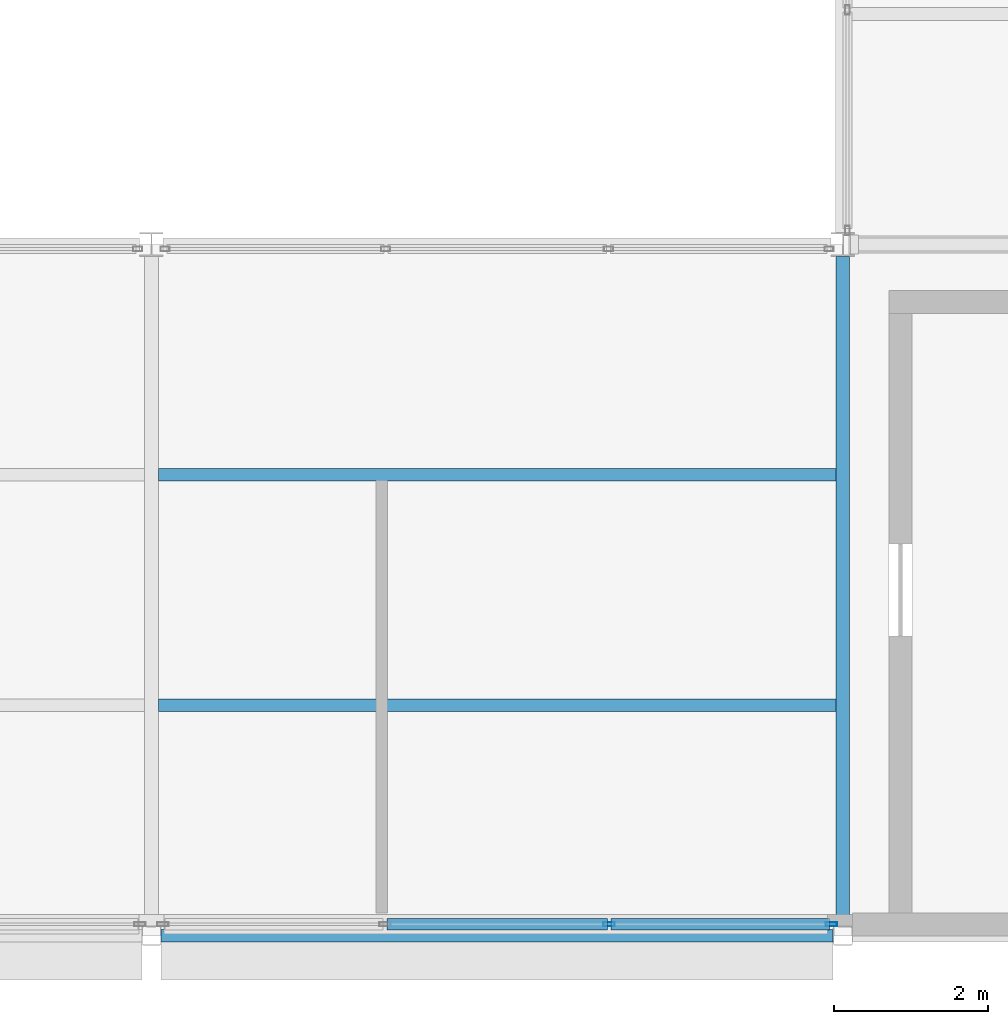
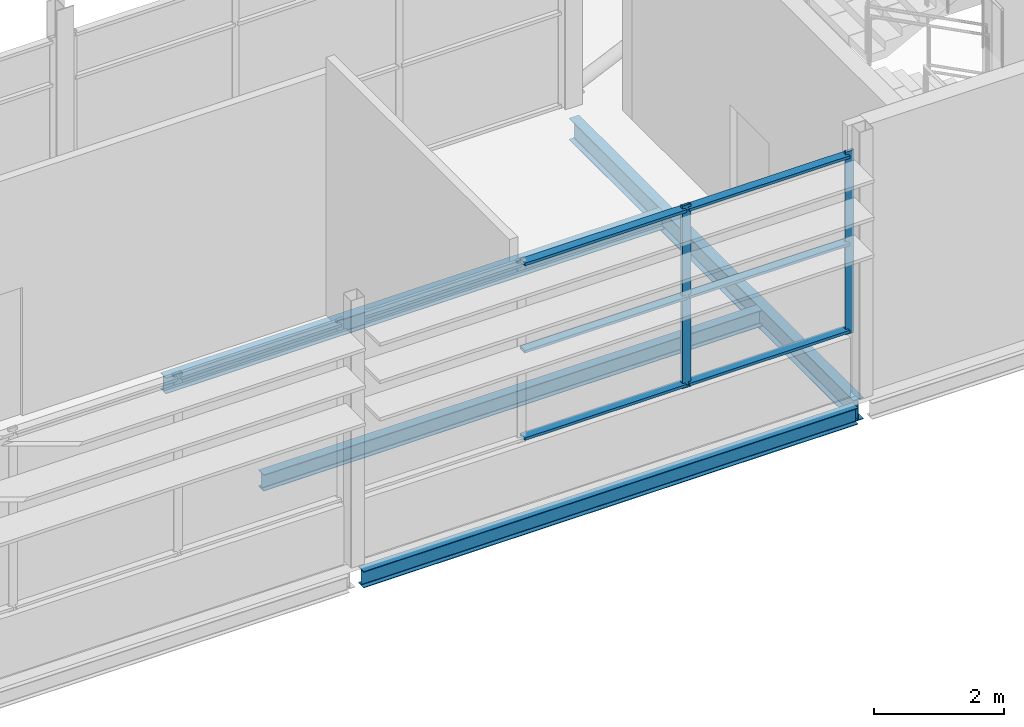
# One storey, part 39 of 94: 8 members, 4 beams, 1 element without a shape of its own.
"""IFC4 building model written with IfcOpenShell, lengths in metres."""

from ifc_helpers import new_model, si_unit, direction, frame, origin, origin_2d, place, context, subcontext, project, spatial, hollow_rectangle, i_section, extrude, material, layer, layer_set, material_profile, profile_set, type_object, element, aggregate, save


model = new_model("IFC4")

# Units and contexts
model_context = context("Model", 3, precision=1e-05, world=origin(), true_north=direction((0.0, 1.0)))
body_context = subcontext(model_context, "Body", "Model", "MODEL_VIEW")
ifc_project = project(units=[si_unit("LENGTHUNIT", "METRE"), si_unit("AREAUNIT", "SQUARE_METRE"), si_unit("VOLUMEUNIT", "CUBIC_METRE"), si_unit("PLANEANGLEUNIT", "RADIAN"), si_unit("MASSUNIT", "GRAM", prefix="KILO")], contexts=[model_context])

# Site, building, storey
site_placement = place(None, origin())
site = spatial("IfcSite", under=ifc_project, at=site_placement, CompositionType="ELEMENT")
building_placement = place(site_placement, origin())
building = spatial("IfcBuilding", under=site, at=building_placement, Name="Shorebreak Coast Museum", CompositionType="ELEMENT")
storey_placement = place(building_placement, frame((0.0, 0.0, 31.0)))
storey = spatial("IfcBuildingStorey", under=building, at=storey_placement, Name="L05", CompositionType="ELEMENT", Elevation=31.0)

# Beams
ifc_material_1 = material(Name="Steel Grade 300", Category="steel")
ifc_material_profile_1 = material_profile(ifc_material_1, i_section(OverallWidth=0.166015625, OverallDepth=0.30712890625, WebThickness=0.006591796875, FlangeThickness=0.01171875, FilletRadius=0.011474609375, at=origin_2d()), Name="310UB46.2")
ifc_profile_set_1 = profile_set([ifc_material_profile_1], Name="Steel Grade 300")
beam_type_1 = type_object("IfcBeamType", Name="Floor girder east-west 310UB46.2", PredefinedType="BEAM", material=ifc_profile_set_1)
beam_1_placement = place(storey_placement, frame((99.125, 54.0, -0.32861328125), z_axis=(1.0, 0.0, 0.0), x_axis=(0.0, 1.0, 0.0)))
element("IfcBeam", 1, at=beam_1_placement, inside=storey, type_object=beam_type_1, Name="Floor girder east-west L05 12G", PredefinedType="BEAM", context=body_context, shape_type="SweptSolid", body=[
    extrude(i_section(OverallWidth=0.166015625, OverallDepth=0.30712890625, WebThickness=0.006591796875, FlangeThickness=0.01171875, FilletRadius=0.011474609375, at=origin_2d()), origin(), (0.0, 0.0, 1.0), 8.75),
])
ifc_material_2 = material(Name="Steel Grade 300", Category="steel")
ifc_material_profile_2 = material_profile(ifc_material_2, i_section(OverallWidth=0.177978515625, OverallDepth=0.406494140625, WebThickness=0.0078125, FlangeThickness=0.0126953125, FilletRadius=0.011474609375, at=origin_2d()), Name="410UB59.7")
ifc_profile_set_2 = profile_set([ifc_material_profile_2], Name="Steel Grade 300")
beam_type_2 = type_object("IfcBeamType", Name="Floor girder north-south 410UB59.7", PredefinedType="BEAM", material=ifc_profile_set_2)
beam_2_placement = place(storey_placement, frame((108.0, 54.125, -0.378173828125), z_axis=(0.0, 1.0, 0.0), x_axis=(-1.0, 0.0, 0.0)))
element("IfcBeam", 2, at=beam_2_placement, inside=storey, type_object=beam_type_2, Name="Floor girder north-south L05 13G", PredefinedType="BEAM", context=body_context, shape_type="SweptSolid", body=[
    extrude(i_section(OverallWidth=0.177978515625, OverallDepth=0.406494140625, WebThickness=0.0078125, FlangeThickness=0.0126953125, FilletRadius=0.011474609375, at=origin_2d()), origin(), (0.0, 0.0, 1.0), 8.7177734375),
])
ifc_material_3 = material(Name="Steel Grade 300", Category="steel")
ifc_material_profile_3 = material_profile(ifc_material_3, i_section(OverallWidth=0.1650390625, OverallDepth=0.303955078125, WebThickness=0.006103515625, FlangeThickness=0.01025390625, FilletRadius=0.011474609375, at=origin_2d()), Name="310UB40.4")
ifc_profile_set_3 = profile_set([ifc_material_profile_3], Name="Steel Grade 300")
beam_type_3 = type_object("IfcBeamType", Name="Floor joist 310UB40.4", PredefinedType="JOIST", material=ifc_profile_set_3)
for number, where, z_axis, x_axis, name in (
    (3, (99.089111328125, 57.0, -0.326904296875), (1.0, 0.0, 0.0), (0.0, 1.0, 0.0), "Floor joist L05 bay 12G at 3000 mm"),
    (4, (99.089111328125, 60.0, -0.326904296875), (1.0, 0.0, 0.0), (0.0, 1.0, 0.0), "Floor joist L05 bay 12G at 6000 mm"),
):
    element("IfcBeam", number, at=place(storey_placement, frame(where, z_axis=z_axis, x_axis=x_axis)), inside=storey, type_object=beam_type_3, Name=name, PredefinedType="JOIST", context=body_context, shape_type="SweptSolid", body=[
        extrude(i_section(OverallWidth=0.1650390625, OverallDepth=0.303955078125, WebThickness=0.006103515625, FlangeThickness=0.01025390625, FilletRadius=0.011474609375, at=origin_2d()), origin(), (0.0, 0.0, 1.0), 8.82177734375),
    ])

# Curtain wall, members
ifc_material_4 = material(Name="Aluminium", Category="aluminium")
ifc_layer = layer(ifc_material_4, 0.14990234375)
ifc_layer_set = layer_set([ifc_layer], Name="Aluminium")
curtain_wall_type = type_object("IfcCurtainWallType", Name="Storefront curtain wall", PredefinedType="NOTDEFINED", material=ifc_layer_set)
curtain_wall_placement = place(storey_placement, origin())
curtain_wall = element("IfcCurtainWall", 5, at=curtain_wall_placement, inside=storey, type_object=curtain_wall_type, Name="Atrium Hall glazing L05 S 17", PredefinedType="NOTDEFINED")
ifc_material_5 = material(Name="Aluminium", Category="aluminium")
ifc_material_profile_4 = material_profile(ifc_material_5, hollow_rectangle(XDim=0.050048828125, YDim=0.14990234375, WallThickness=0.00390625, at=origin_2d()), Name="AL 150x50 RHS")
ifc_profile_set_4 = profile_set([ifc_material_profile_4], Name="Aluminium")
member_type_1 = type_object("IfcMemberType", Name="Storefront mullion 50 x 150", PredefinedType="MULLION", material=ifc_profile_set_4)
member_1_placement = place(storey_placement, frame((104.958251953125, 54.14990234375, 1.10009765625), z_axis=(0.0, 0.0, 1.0), x_axis=(0.0, 1.0, 0.0)))
member_1 = element("IfcMember", 6, at=member_1_placement, type_object=member_type_1, Name="CW5 mullion 3", PredefinedType="MULLION", context=body_context, shape_type="SweptSolid", body=[
    extrude(hollow_rectangle(XDim=0.050048828125, YDim=0.14990234375, WallThickness=0.00390625, at=origin_2d()), origin(), (0.0, 0.0, 1.0), 3.417724609375),
])
member_2_placement = place(storey_placement, frame((107.85009765625, 54.14990234375, 1.10009765625), z_axis=(0.0, 0.0, 1.0), x_axis=(0.0, 1.0, 0.0)))
member_2 = element("IfcMember", 7, at=member_2_placement, type_object=member_type_1, Name="CW5 mullion 4", PredefinedType="MULLION", context=body_context, shape_type="SweptSolid", body=[
    extrude(hollow_rectangle(XDim=0.050048828125, YDim=0.14990234375, WallThickness=0.00390625, at=origin_2d()), origin(), (0.0, 0.0, 1.0), 3.417724609375),
])
ifc_material_6 = material(Name="Aluminium", Category="aluminium")
ifc_material_profile_5 = material_profile(ifc_material_6, hollow_rectangle(XDim=0.14990234375, YDim=0.050048828125, WallThickness=0.00390625, at=origin_2d()), Name="AL 50x150 RHS")
ifc_profile_set_5 = profile_set([ifc_material_profile_5], Name="Aluminium")
member_type_2 = type_object("IfcMemberType", Name="Storefront transom 150 x 50", PredefinedType="USERDEFINED", material=ifc_profile_set_5)
member_3_placement = place(storey_placement, frame((102.066650390625, 54.14990234375, 1.175048828125), z_axis=(1.0, 0.0, 0.0), x_axis=(0.0, 1.0, 0.0)))
member_3 = element("IfcMember", 8, at=member_3_placement, type_object=member_type_2, Name="CW5 transom 2.1", ObjectType="TRANSOM", PredefinedType="USERDEFINED", context=body_context, shape_type="SweptSolid", body=[
    extrude(hollow_rectangle(XDim=0.14990234375, YDim=0.050048828125, WallThickness=0.00390625, at=origin_2d()), origin(), (0.0, 0.0, 1.0), 2.86669921875),
])
member_4_placement = place(storey_placement, frame((102.066650390625, 54.14990234375, 2.808837890625), z_axis=(1.0, 0.0, 0.0), x_axis=(0.0, 1.0, 0.0)))
member_4 = element("IfcMember", 9, at=member_4_placement, type_object=member_type_2, Name="CW5 transom 2.2", ObjectType="TRANSOM", PredefinedType="USERDEFINED", context=body_context, shape_type="SweptSolid", body=[
    extrude(hollow_rectangle(XDim=0.14990234375, YDim=0.050048828125, WallThickness=0.00390625, at=origin_2d()), origin(), (0.0, 0.0, 1.0), 2.86669921875),
])
member_5_placement = place(storey_placement, frame((102.066650390625, 54.14990234375, 4.44287109375), z_axis=(1.0, 0.0, 0.0), x_axis=(0.0, 1.0, 0.0)))
member_5 = element("IfcMember", 10, at=member_5_placement, type_object=member_type_2, Name="CW5 transom 2.3", ObjectType="TRANSOM", PredefinedType="USERDEFINED", context=body_context, shape_type="SweptSolid", body=[
    extrude(hollow_rectangle(XDim=0.14990234375, YDim=0.050048828125, WallThickness=0.00390625, at=origin_2d()), origin(), (0.0, 0.0, 1.0), 2.86669921875),
])
member_6_placement = place(storey_placement, frame((104.9833984375, 54.14990234375, 1.175048828125), z_axis=(1.0, 0.0, 0.0), x_axis=(0.0, 1.0, 0.0)))
member_6 = element("IfcMember", 11, at=member_6_placement, type_object=member_type_2, Name="CW5 transom 3.1", ObjectType="TRANSOM", PredefinedType="USERDEFINED", context=body_context, shape_type="SweptSolid", body=[
    extrude(hollow_rectangle(XDim=0.14990234375, YDim=0.050048828125, WallThickness=0.00390625, at=origin_2d()), origin(), (0.0, 0.0, 1.0), 2.841552734375),
])
member_7_placement = place(storey_placement, frame((104.9833984375, 54.14990234375, 2.808837890625), z_axis=(1.0, 0.0, 0.0), x_axis=(0.0, 1.0, 0.0)))
member_7 = element("IfcMember", 12, at=member_7_placement, type_object=member_type_2, Name="CW5 transom 3.2", ObjectType="TRANSOM", PredefinedType="USERDEFINED", context=body_context, shape_type="SweptSolid", body=[
    extrude(hollow_rectangle(XDim=0.14990234375, YDim=0.050048828125, WallThickness=0.00390625, at=origin_2d()), origin(), (0.0, 0.0, 1.0), 2.841552734375),
])
member_8_placement = place(storey_placement, frame((104.9833984375, 54.14990234375, 4.44287109375), z_axis=(1.0, 0.0, 0.0), x_axis=(0.0, 1.0, 0.0)))
member_8 = element("IfcMember", 13, at=member_8_placement, type_object=member_type_2, Name="CW5 transom 3.3", ObjectType="TRANSOM", PredefinedType="USERDEFINED", context=body_context, shape_type="SweptSolid", body=[
    extrude(hollow_rectangle(XDim=0.14990234375, YDim=0.050048828125, WallThickness=0.00390625, at=origin_2d()), origin(), (0.0, 0.0, 1.0), 2.841552734375),
])
aggregate(curtain_wall, [member_1, member_2, member_3, member_4, member_5, member_6, member_7, member_8])

save(model, "model.ifc")
